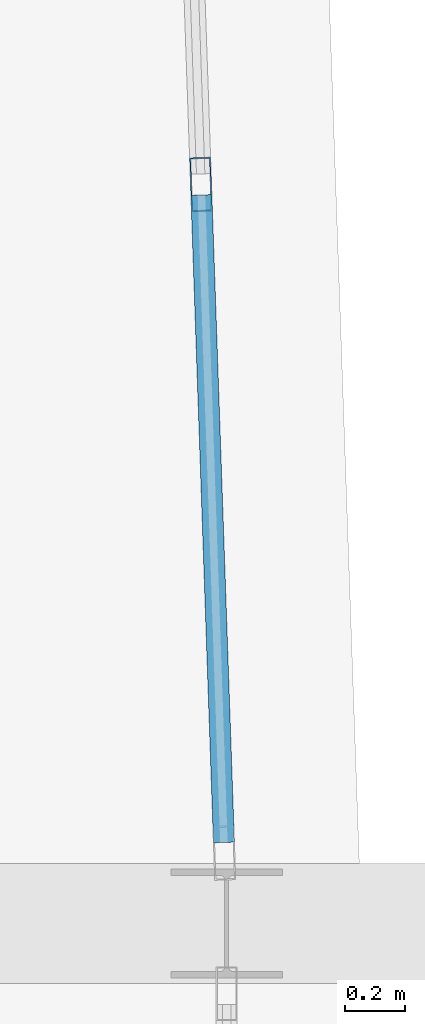
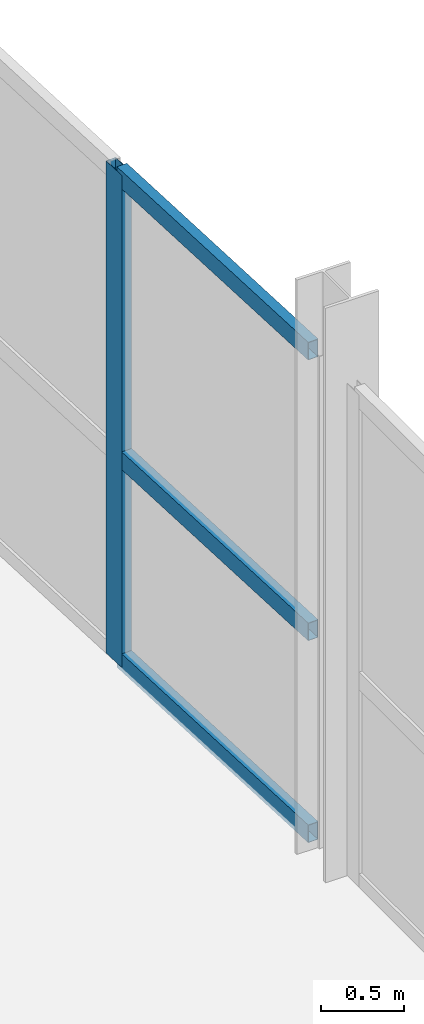
# One storey, part 6 of 19: 4 members, 1 element without a shape of its own.
"""IFC4 building model written with IfcOpenShell, lengths in metres."""

from ifc_helpers import new_model, si_unit, direction, frame, origin, origin_2d, place, context, subcontext, project, spatial, hollow_rectangle, extrude, material, layer, layer_set, material_profile, profile_set, type_object, element, aggregate, save


model = new_model("IFC4")

# Units and contexts
model_context = context("Model", 3, precision=1e-05, world=origin(), true_north=direction((0.0, 1.0)))
body_context = subcontext(model_context, "Body", "Model", "MODEL_VIEW")
ifc_project = project(units=[si_unit("LENGTHUNIT", "METRE"), si_unit("AREAUNIT", "SQUARE_METRE"), si_unit("VOLUMEUNIT", "CUBIC_METRE"), si_unit("PLANEANGLEUNIT", "RADIAN"), si_unit("MASSUNIT", "GRAM", prefix="KILO")], contexts=[model_context])

# Site, building, storey
site_placement = place(None, origin())
site = spatial("IfcSite", under=ifc_project, at=site_placement, CompositionType="ELEMENT")
building_placement = place(site_placement, origin())
building = spatial("IfcBuilding", under=site, at=building_placement, Name="Quillay Park Conservatory", CompositionType="ELEMENT")
storey_placement = place(building_placement, frame((0.0, 0.0, 35.10009765625)))
storey = spatial("IfcBuildingStorey", under=building, at=storey_placement, Name="L08", CompositionType="ELEMENT", Elevation=35.10009765625)

# Curtain wall, members
ifc_material_1 = material(Name="Thermally Broken Anodised Aluminium 6063-T6", Category="aluminium")
ifc_layer = layer(ifc_material_1, 0.179931640625)
ifc_layer_set = layer_set([ifc_layer], Name="UNITISED CURTAIN WALL TOWER (Thermally Broken Anodised Aluminium 6063-T6)")
curtain_wall_type = type_object("IfcCurtainWallType", Name="UNITISED CURTAIN WALL TOWER", PredefinedType="USERDEFINED", material=ifc_layer_set)
curtain_wall_placement = place(storey_placement, origin())
curtain_wall = element("IfcCurtainWall", 1, at=curtain_wall_placement, inside=storey, type_object=curtain_wall_type, Name="L08 Unitised Curtain Wall 081", ObjectType="UNITISED CURTAIN WALL", PredefinedType="USERDEFINED")
ifc_material_2 = material(Name="Thermally Broken Anodised Aluminium 6063-T6", Category="aluminium")
ifc_material_profile_1 = material_profile(ifc_material_2, hollow_rectangle(XDim=0.070068359375, YDim=0.179931640625, WallThickness=0.00390625, at=origin_2d()), Name="AL70x180x4")
ifc_profile_set_1 = profile_set([ifc_material_profile_1], Name="Thermally Broken Anodised Aluminium 6063-T6")
member_type_1 = type_object("IfcMemberType", Name="CURTAIN WALL MULLION 70 X180", PredefinedType="MULLION", material=ifc_profile_set_1)
member_1_placement = place(storey_placement, frame((26.58935546875, 94.86669921875, 0.0), z_axis=(0.0, 0.0, 1.0), x_axis=(0.999397310446, 0.034713338537, 0.0)))
member_1 = element("IfcMember", 2, at=member_1_placement, type_object=member_type_1, Name="CW-T1 mullion 3", PredefinedType="MULLION", context=body_context, shape_type="SweptSolid", body=[
    extrude(hollow_rectangle(XDim=0.070068359375, YDim=0.179931640625, WallThickness=0.00390625, at=origin_2d()), origin(), (0.0, 0.0, 1.0), 3.598876953125),
])
ifc_material_3 = material(Name="Thermally Broken Anodised Aluminium 6063-T6", Category="aluminium")
ifc_material_profile_2 = material_profile(ifc_material_3, hollow_rectangle(XDim=0.070068359375, YDim=0.1298828125, WallThickness=0.003173828125, at=origin_2d()), Name="AL70x130x3.2")
ifc_profile_set_2 = profile_set([ifc_material_profile_2], Name="Thermally Broken Anodised Aluminium 6063-T6")
member_type_2 = type_object("IfcMemberType", Name="CURTAIN WALL TRANSOM 70 X130", PredefinedType="USERDEFINED", material=ifc_profile_set_2)
member_2_placement = place(storey_placement, frame((26.590576171875, 94.83154296875, 0.034912109375), z_axis=(0.034765508592, -0.999395496994, 0.0), x_axis=(0.999395496994, 0.034765508592, 0.0)))
member_2 = element("IfcMember", 3, at=member_2_placement, type_object=member_type_2, Name="CW-T1 transom 3.1", ObjectType="TRANSOM", PredefinedType="USERDEFINED", context=body_context, shape_type="SweptSolid", body=[
    extrude(hollow_rectangle(XDim=0.070068359375, YDim=0.1298828125, WallThickness=0.003173828125, at=origin_2d()), origin(), (0.0, 0.0, 1.0), 2.162841796875),
])
member_3_placement = place(storey_placement, frame((26.590576171875, 94.83154296875, 1.511474609375), z_axis=(0.034765508592, -0.999395496994, 0.0), x_axis=(0.999395496994, 0.034765508592, 0.0)))
member_3 = element("IfcMember", 4, at=member_3_placement, type_object=member_type_2, Name="CW-T1 transom 3.2", ObjectType="TRANSOM", PredefinedType="USERDEFINED", context=body_context, shape_type="SweptSolid", body=[
    extrude(hollow_rectangle(XDim=0.070068359375, YDim=0.1298828125, WallThickness=0.003173828125, at=origin_2d()), origin(), (0.0, 0.0, 1.0), 2.162841796875),
])
member_4_placement = place(storey_placement, frame((26.590576171875, 94.83154296875, 3.56396484375), z_axis=(0.034765508592, -0.999395496994, 0.0), x_axis=(0.999395496994, 0.034765508592, 0.0)))
member_4 = element("IfcMember", 5, at=member_4_placement, type_object=member_type_2, Name="CW-T1 transom 3.3", ObjectType="TRANSOM", PredefinedType="USERDEFINED", context=body_context, shape_type="SweptSolid", body=[
    extrude(hollow_rectangle(XDim=0.070068359375, YDim=0.1298828125, WallThickness=0.003173828125, at=origin_2d()), origin(), (0.0, 0.0, 1.0), 2.162841796875),
])
aggregate(curtain_wall, [member_1, member_2, member_3, member_4])

save(model, "model.ifc")
